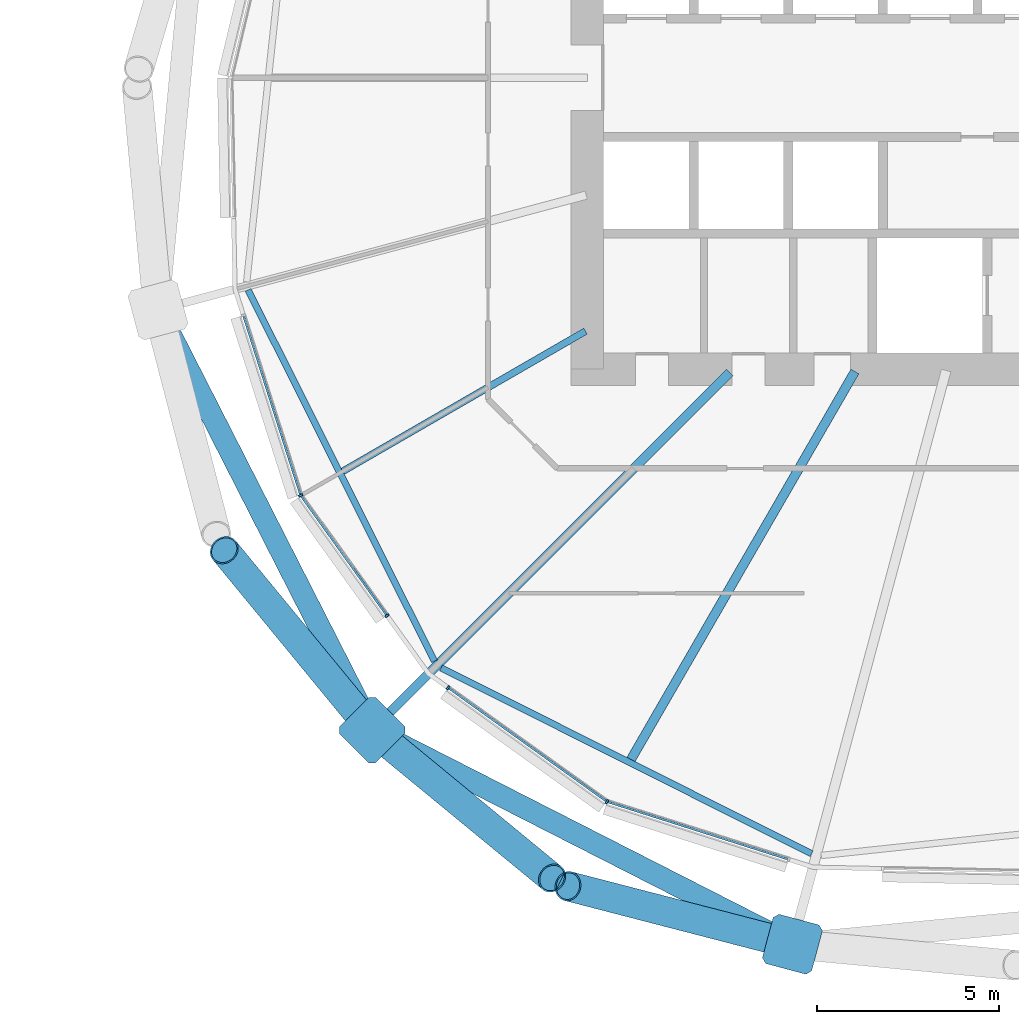
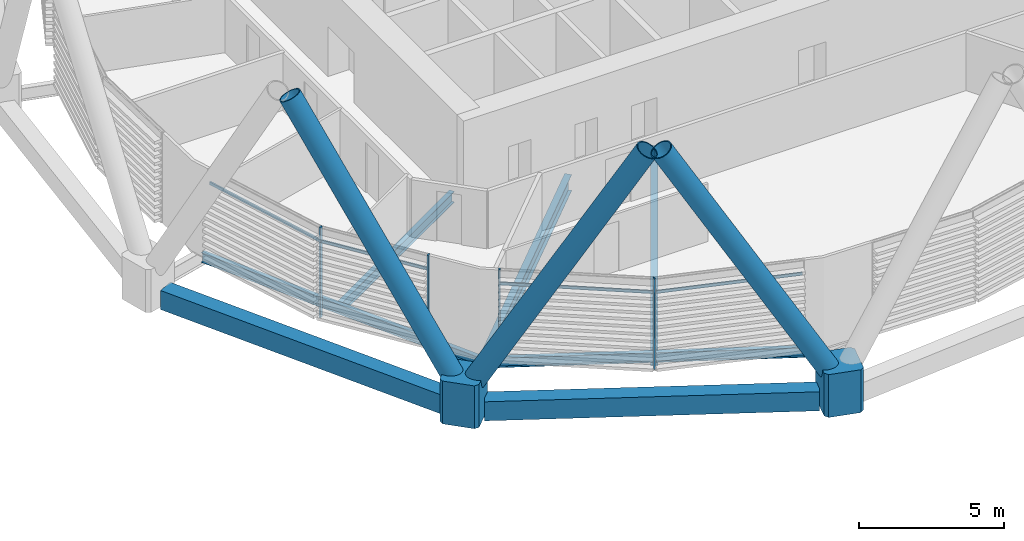
# One storey, part 14 of 40: 13 members, 7 beams, 1 element without a shape of its own.
"""IFC4 building model written with IfcOpenShell, lengths in metres."""

import ifcopenshell
import ifcopenshell.guid

model = None  # the IFC model being written
_history = None  # IfcOwnerHistory: only IFC2X3 demands one
_inside = {}  # id of a spatial element -> (the spatial element, [elements in it])
_under = {}  # id of a project, library or spatial element -> (it, [spatial elements below it])
_declared = {}  # id of a project -> (the project, [libraries it declares])
_typed = {}  # id of a type object -> (the type object, [elements of that type])
_made_of = {}  # id of a material, layer set ... -> (it, [elements and type objects made of it])


def new_model(schema):
    """Start an empty IFC model of exactly this schema.

    Asked for "IFC4X3", IfcOpenShell would pick the latest addendum, in which some entities
    have other attributes; the version numbers below select the first issue.
    IFC2X3 requires an IfcOwnerHistory on every rooted entity: one is made here for all.
    """
    global model, _history
    if schema == "IFC4X3":
        model = ifcopenshell.file(schema_version=(4, 3, 0, 0))
    else:
        model = ifcopenshell.file(schema=schema)
    _inside.clear()
    _under.clear()
    _declared.clear()
    _typed.clear()
    _made_of.clear()
    _history = None
    if model.schema == "IFC2X3":
        org = make("IfcOrganization", Name="unknown")
        user = make(
            "IfcPersonAndOrganization",
            ThePerson=make("IfcPerson", FamilyName="unknown"),
            TheOrganization=org,
        )
        app = make(
            "IfcApplication",
            ApplicationDeveloper=org,
            Version="unknown",
            ApplicationFullName="unknown",
            ApplicationIdentifier="unknown",
        )
        _history = make(
            "IfcOwnerHistory",
            OwningUser=user,
            OwningApplication=app,
            ChangeAction="ADDED",
            CreationDate=0,
        )
    return model


def make(cls, **values):
    """One entity of the class cls with the attributes given. An attribute that is None is left unset."""
    return model.create_entity(
        cls, **{name: value for name, value in values.items() if value is not None}
    )


def rooted(cls, **values):
    """An entity with a GlobalId (a new one), such as an element, a storey or a relation."""
    return make(cls, GlobalId=ifcopenshell.guid.new(), OwnerHistory=_history, **values)


def si_unit(unit_type, name, prefix=None):
    """IfcSIUnit, for example si_unit("LENGTHUNIT", "METRE", prefix="MILLI")."""
    return make("IfcSIUnit", UnitType=unit_type, Prefix=prefix, Name=name)


def assignment(units):
    """IfcUnitAssignment: the units of a project."""
    return None if units is None else make("IfcUnitAssignment", Units=units)


def point(xyz):
    """IfcCartesianPoint."""
    return None if xyz is None else make("IfcCartesianPoint", Coordinates=xyz)


def direction(xyz):
    """IfcDirection."""
    return None if xyz is None else make("IfcDirection", DirectionRatios=xyz)


def frame(location, z_axis=None, x_axis=None):
    """IfcAxis2Placement3D, a coordinate frame: its origin and axes. An axis left out is left unset."""
    return make(
        "IfcAxis2Placement3D",
        Location=point(location),
        Axis=direction(z_axis),
        RefDirection=direction(x_axis),
    )


def frame_2d(location, x_axis=None):
    """IfcAxis2Placement2D, a coordinate frame in the plane: its origin and x axis."""
    return make(
        "IfcAxis2Placement2D", Location=point(location), RefDirection=direction(x_axis)
    )


def origin():
    """The frame at (0, 0, 0) with its axes left unset."""
    return frame((0.0, 0.0, 0.0))


def origin_2d():
    """The frame at (0, 0) in the plane with its x axis left unset."""
    return frame_2d((0.0, 0.0))


def place(relative_to, where):
    """IfcLocalPlacement: puts the frame where relative to a parent placement (None: the world)."""
    return make(
        "IfcLocalPlacement", PlacementRelTo=relative_to, RelativePlacement=where
    )


def context(
    kind, dimensions, precision=None, world=None, true_north=None, identifier=None
):
    """IfcGeometricRepresentationContext, for example the 3D "Model" context."""
    return make(
        "IfcGeometricRepresentationContext",
        ContextIdentifier=identifier,
        ContextType=kind,
        CoordinateSpaceDimension=dimensions,
        Precision=precision,
        WorldCoordinateSystem=world,
        TrueNorth=true_north,
    )


def subcontext(parent, identifier, kind, view, scale=None):
    """IfcGeometricRepresentationSubContext, for example "Body" below "Model"."""
    return make(
        "IfcGeometricRepresentationSubContext",
        ContextIdentifier=identifier,
        ContextType=kind,
        ParentContext=parent,
        TargetScale=scale,
        TargetView=view,
    )


def project(units=None, contexts=None):
    """IfcProject with its units and contexts."""
    return rooted(
        "IfcProject",
        Name="project",
        RepresentationContexts=contexts,
        UnitsInContext=assignment(units),
    )


def spatial(cls, under=None, at=None, **own):
    """A site, building, storey or space (cls), placed at a placement, below another one or the project."""
    s = rooted(cls, ObjectPlacement=at, **own)
    if under is not None:
        _under.setdefault(under.id(), (under, []))[1].append(s)
    return s


def polyline(points):
    """IfcPolyline through the points."""
    return make("IfcPolyline", Points=[point(p) for p in points])


def profile(cls, at=None, kind="AREA", **sizes):
    """A parametric profile (cls). Its sizes go by their IFC names, for example OverallWidth=200.0."""
    return make(cls, ProfileType=kind, Position=at, **sizes)


def rectangle(**sizes):
    """IfcRectangleProfileDef."""
    return profile("IfcRectangleProfileDef", **sizes)


def hollow_rectangle(**sizes):
    """IfcRectangleHollowProfileDef."""
    return profile("IfcRectangleHollowProfileDef", **sizes)


def hollow_circle(**sizes):
    """IfcCircleHollowProfileDef."""
    return profile("IfcCircleHollowProfileDef", **sizes)


def i_section(**sizes):
    """IfcIShapeProfileDef."""
    return profile("IfcIShapeProfileDef", **sizes)


def outline(outer, holes=None, kind="AREA"):
    """IfcArbitraryClosedProfileDef: a profile drawn as a closed curve; with holes, ...WithVoids."""
    if holes is None:
        return make("IfcArbitraryClosedProfileDef", ProfileType=kind, OuterCurve=outer)
    return make(
        "IfcArbitraryProfileDefWithVoids",
        ProfileType=kind,
        OuterCurve=outer,
        InnerCurves=holes,
    )


def extrude(swept, where, along, depth):
    """IfcExtrudedAreaSolid: the profile swept, set in the frame where, extruded along a direction by depth."""
    return make(
        "IfcExtrudedAreaSolid",
        SweptArea=swept,
        Position=where,
        ExtrudedDirection=direction(along),
        Depth=depth,
    )


def shape(context_of_items, identifier, shape_type, items):
    """IfcShapeRepresentation: the items that make up one representation, for example the "Body"."""
    return make(
        "IfcShapeRepresentation",
        ContextOfItems=context_of_items,
        RepresentationIdentifier=identifier,
        RepresentationType=shape_type,
        Items=items,
    )


def material(Name=None, Category=None):
    """IfcMaterial."""
    return make("IfcMaterial", Name=Name, Category=Category)


def material_profile(
    of_material, cross_section, Name=None, Category=None, Priority=None
):
    """IfcMaterialProfile: a cross section and its material."""
    return make(
        "IfcMaterialProfile",
        Name=Name,
        Material=of_material,
        Profile=cross_section,
        Priority=Priority,
        Category=Category,
    )


def profile_set(profiles, Name=None, composite=None):
    """IfcMaterialProfileSet."""
    return make(
        "IfcMaterialProfileSet",
        Name=Name,
        MaterialProfiles=profiles,
        CompositeProfile=composite,
    )


def made_of(thing, what):
    """Note that an element or type object is made of a material, layer set ...; save() writes the relation."""
    if what is not None:
        _made_of.setdefault(what.id(), (what, []))[1].append(thing)
    return thing


def type_object(cls, material=None, **own):
    """A type object (cls), such as IfcWallType, which elements share."""
    return made_of(rooted(cls, **own), material)


def element(
    cls,
    number,
    at=None,
    inside=None,
    cuts=None,
    type_object=None,
    material=None,
    context=None,
    identifier="Body",
    shape_type=None,
    held_by="IfcProductDefinitionShape",
    body=None,
    shapes=None,
    **own,
):
    """One element of the class cls, such as IfcWall. Its Tag is "e" and its number.

    at: its placement. inside: the storey or other place that contains it. cuts: it is an
    opening in that element (IfcRelVoidsElement). A single representation is given by context,
    identifier, shape_type and body (its items); several are given by shapes. held_by: the class
    of the entity that holds the representations. save() writes the other relations.
    """
    e = rooted(cls, Tag="e%d" % number, ObjectPlacement=at, **own)
    if body is not None:
        shapes = [shape(context, identifier, shape_type, body)]
    if shapes is not None:
        e.Representation = make(held_by, Representations=shapes)
    if inside is not None:
        _inside.setdefault(inside.id(), (inside, []))[1].append(e)
    if cuts is not None:
        rooted(
            "IfcRelVoidsElement", RelatingBuildingElement=cuts, RelatedOpeningElement=e
        )
    if type_object is not None:
        _typed.setdefault(type_object.id(), (type_object, []))[1].append(e)
    return made_of(e, material)


def aggregate(whole, parts):
    """IfcRelAggregates: a whole, such as a stair, and the parts it consists of."""
    return rooted("IfcRelAggregates", RelatingObject=whole, RelatedObjects=parts)


def save(model, path):
    """Write the relations noted so far, then the file.

    IfcRelAggregates (storeys below a building ...), IfcRelContainedInSpatialStructure (elements
    in a storey), IfcRelDefinesByType, IfcRelAssociatesMaterial and IfcRelDeclares: one each for
    every whole, place, type object, material and project.
    """
    for whole, parts in _under.values():
        aggregate(whole, parts)
    for where, things in _inside.values():
        rooted(
            "IfcRelContainedInSpatialStructure",
            RelatedElements=things,
            RelatingStructure=where,
        )
    for kind, things in _typed.values():
        rooted("IfcRelDefinesByType", RelatedObjects=things, RelatingType=kind)
    for what, things in _made_of.values():
        rooted("IfcRelAssociatesMaterial", RelatedObjects=things, RelatingMaterial=what)
    for by, libraries in _declared.values():
        rooted("IfcRelDeclares", RelatingContext=by, RelatedDefinitions=libraries)
    model.write(path)


model = new_model("IFC4")

# Units and contexts
model_context = context("Model", 3, precision=1e-05, world=origin(), true_north=direction((0.0, 1.0)))
body_context = subcontext(model_context, "Body", "Model", "MODEL_VIEW")
ifc_project = project(units=[si_unit("LENGTHUNIT", "METRE"), si_unit("AREAUNIT", "SQUARE_METRE"), si_unit("VOLUMEUNIT", "CUBIC_METRE"), si_unit("PLANEANGLEUNIT", "RADIAN"), si_unit("MASSUNIT", "GRAM", prefix="KILO")], contexts=[model_context])

# Site, building, storey
site_placement = place(None, origin())
site = spatial("IfcSite", under=ifc_project, at=site_placement, CompositionType="ELEMENT")
building_placement = place(site_placement, origin())
building = spatial("IfcBuilding", under=site, at=building_placement, Name="Rimbun Link Towers", CompositionType="ELEMENT")
storey_placement = place(building_placement, frame((0.0, 0.0, 52.800048828125)))
storey = spatial("IfcBuildingStorey", under=building, at=storey_placement, Name="L12", CompositionType="ELEMENT", Elevation=52.800048828125)

# Curtain wall, members
ifc_material_1 = material(Name="Aluminium 6063-T6 and low-iron glass", Category="aluminium")
curtain_wall_type = type_object("IfcCurtainWallType", Name="CW1 unitised vision wall", PredefinedType="NOTDEFINED", material=ifc_material_1)
curtain_wall_placement = place(storey_placement, origin())
curtain_wall = element("IfcCurtainWall", 1, at=curtain_wall_placement, inside=storey, type_object=curtain_wall_type, Name="CW1 L12 T2", PredefinedType="NOTDEFINED")
ifc_material_2 = material(Name="Aluminium 6063-T6", Category="aluminium")
ifc_material_profile_1 = material_profile(ifc_material_2, rectangle(XDim=0.1201171875, YDim=0.06005859375, at=origin_2d()), Name="MULLION 60X120")
ifc_profile_set_1 = profile_set([ifc_material_profile_1], Name="Aluminium 6063-T6")
member_type_1 = type_object("IfcMemberType", Name="CW1 mullion 60X120", PredefinedType="MULLION", material=ifc_profile_set_1)
member_1_placement = place(storey_placement, frame((11.884521484375, -11.46533203125, 0.0), z_axis=(0.0, 0.0, 1.0), x_axis=(-0.89374591816, -0.448573554472, 0.0)))
member_1 = element("IfcMember", 2, at=member_1_placement, type_object=member_type_1, Name="CW1 mullion", PredefinedType="MULLION", context=body_context, shape_type="SweptSolid", body=[
    extrude(rectangle(XDim=0.1201171875, YDim=0.06005859375, at=origin_2d()), origin(), (0.0, 0.0, 1.0), 3.800048828125),
])
member_2_placement = place(storey_placement, frame((14.250732421875, -14.76416015625, 0.0), z_axis=(0.0, 0.0, 1.0), x_axis=(-0.812469264421, -0.583004026034, 0.0)))
member_2 = element("IfcMember", 3, at=member_2_placement, type_object=member_type_1, Name="CW1 mullion", PredefinedType="MULLION", context=body_context, shape_type="SweptSolid", body=[
    extrude(rectangle(XDim=0.1201171875, YDim=0.06005859375, at=origin_2d()), origin(), (0.0, 0.0, 1.0), 3.800048828125),
])
member_3_placement = place(storey_placement, frame((20.28466796875, -19.865478515625, 0.0), z_axis=(0.0, 0.0, 1.0), x_axis=(-0.448573554472, -0.89374591816, 0.0)))
member_3 = element("IfcMember", 4, at=member_3_placement, type_object=member_type_1, Name="CW1 mullion", PredefinedType="MULLION", context=body_context, shape_type="SweptSolid", body=[
    extrude(rectangle(XDim=0.1201171875, YDim=0.06005859375, at=origin_2d()), origin(), (0.0, 0.0, 1.0), 3.800048828125),
])
member_4_placement = place(storey_placement, frame((15.929443359375, -16.7412109375, 0.0), z_axis=(0.0, 0.0, 1.0), x_axis=(-0.583004026034, -0.812469264421, 0.0)))
member_4 = element("IfcMember", 5, at=member_4_placement, type_object=member_type_1, Name="CW1 mullion", PredefinedType="MULLION", context=body_context, shape_type="SweptSolid", body=[
    extrude(rectangle(XDim=0.1201171875, YDim=0.06005859375, at=origin_2d()), origin(), (0.0, 0.0, 1.0), 3.800048828125),
])
ifc_material_3 = material(Name="Aluminium 6063-T6", Category="aluminium")
ifc_material_profile_2 = material_profile(ifc_material_3, rectangle(XDim=0.06005859375, YDim=0.1201171875, at=origin_2d()), Name="TRANSOM 60X120")
ifc_profile_set_2 = profile_set([ifc_material_profile_2], Name="Aluminium 6063-T6")
member_type_2 = type_object("IfcMemberType", Name="CW1 transom 60X120", PredefinedType="USERDEFINED", material=ifc_profile_set_2)
member_5_placement = place(storey_placement, frame((11.873779296875, -11.427490234375, 3.199951171875), z_axis=(-0.303087473621, 0.952962739741, 0.0), x_axis=(-0.952962739741, -0.303087473621, 0.0)))
member_5 = element("IfcMember", 6, at=member_5_placement, type_object=member_type_2, Name="CW1 transom", ObjectType="TRANSOM", PredefinedType="USERDEFINED", context=body_context, shape_type="SweptSolid", body=[
    extrude(rectangle(XDim=0.06005859375, YDim=0.1201171875, at=origin_2d()), origin(), (0.0, 0.0, 1.0), 5.117431640625),
])
member_6_placement = place(storey_placement, frame((14.23486328125, -14.73876953125, 3.199951171875), z_axis=(-0.582990413826, 0.812479031967, 0.0), x_axis=(-0.812479031967, -0.582990413826, 0.0)))
member_6 = element("IfcMember", 7, at=member_6_placement, type_object=member_type_2, Name="CW1 transom", ObjectType="TRANSOM", PredefinedType="USERDEFINED", context=body_context, shape_type="SweptSolid", body=[
    extrude(rectangle(XDim=0.06005859375, YDim=0.1201171875, at=origin_2d()), origin(), (0.0, 0.0, 1.0), 3.990478515625),
])
member_7_placement = place(storey_placement, frame((20.25341796875, -19.841552734375, 3.199951171875), z_axis=(-0.812459368995, 0.583017815965, 0.0), x_axis=(-0.583017815965, -0.812459368995, 0.0)))
member_7 = element("IfcMember", 8, at=member_7_placement, type_object=member_type_2, Name="CW1 transom", ObjectType="TRANSOM", PredefinedType="USERDEFINED", context=body_context, shape_type="SweptSolid", body=[
    extrude(rectangle(XDim=0.06005859375, YDim=0.1201171875, at=origin_2d()), origin(), (0.0, 0.0, 1.0), 5.29052734375),
])
member_8_placement = place(storey_placement, frame((25.246826171875, -21.4423828125, 3.199951171875), z_axis=(-0.95296300276, 0.303086646639, 0.0), x_axis=(-0.303086646639, -0.95296300276, 0.0)))
member_8 = element("IfcMember", 9, at=member_8_placement, type_object=member_type_2, Name="CW1 transom", ObjectType="TRANSOM", PredefinedType="USERDEFINED", context=body_context, shape_type="SweptSolid", body=[
    extrude(rectangle(XDim=0.06005859375, YDim=0.1201171875, at=origin_2d()), origin(), (0.0, 0.0, 1.0), 5.16748046875),
])
aggregate(curtain_wall, [member_1, member_2, member_3, member_4, member_5, member_6, member_7, member_8])

# Members
ifc_material_4 = material(Name="Steel S460NH", Category="steel")
ifc_material_profile_3 = material_profile(ifc_material_4, hollow_circle(Radius=0.406494140625, WallThickness=0.0400390625, at=origin_2d()), Name="Diagrid diagonal CHS 813x40")
ifc_profile_set_3 = profile_set([ifc_material_profile_3], Name="Steel S460NH")
member_type_3 = type_object("IfcMemberType", Name="Diagrid diagonal CHS 813x40", PredefinedType="BRACE", material=ifc_profile_set_3)
for number, where, z_axis, x_axis, name in (
    (10, (13.685546875, -17.710205078125, 0.431884765625), (-0.319785855763, 0.388896277981, 0.864000400131), (-0.772399476438, -0.635137031513, 0.0), "Diagrid diagonal T2 L12-L15 12a"),
    (11, (14.039794921875, -18.064453125, 0.431884765625), (0.388896277981, -0.319785855763, 0.864000400131), (0.635137031513, 0.772399476438, 0.0), "Diagrid diagonal T2 L12-L15 12b"),
):
    element("IfcMember", number, at=place(storey_placement, frame(where, z_axis=z_axis, x_axis=x_axis)), inside=storey, type_object=member_type_3, Name=name, PredefinedType="BRACE", context=body_context, shape_type="SweptSolid", body=[
        extrude(hollow_circle(Radius=0.406494140625, WallThickness=0.0400390625, at=origin_2d()), origin(), (0.0, 0.0, 1.0), 12.194580078125),
    ])
member_9_placement = place(storey_placement, frame((25.134765625, -23.71875, 0.432373046875), z_axis=(-0.485698138162, 0.125769537283, 0.865031411035), x_axis=(-0.250677892024, -0.968070552414, 0.0)))
element("IfcMember", 12, at=member_9_placement, inside=storey, type_object=member_type_3, Name="Diagrid diagonal T2 L12-L15 14a", PredefinedType="BRACE", context=body_context, shape_type="SweptSolid", body=[
    extrude(hollow_circle(Radius=0.406494140625, WallThickness=0.0400390625, at=origin_2d()), origin(), (0.0, 0.0, 1.0), 12.178955078125),
])
ifc_material_5 = material(Name="Cast steel G20Mn5+QT, Rp0.2 300 MPa", Category="steel")
ifc_material_profile_4 = material_profile(ifc_material_5, outline(polyline([(0.699951171875, -0.570068359375), (0.699951171875, 0.570068359375), (0.570068359375, 0.699951171875), (-0.570068359375, 0.699951171875), (-0.699951171875, 0.570068359375), (-0.699951171875, -0.570068359375), (-0.570068359375, -0.699951171875), (0.570068359375, -0.699951171875), (0.699951171875, -0.570068359375)])), Name="NODE 1400x1400")
ifc_profile_set_4 = profile_set([ifc_material_profile_4], Name="Cast steel G20Mn5+QT, Rp0.2 300 MPa")
member_type_4 = type_object("IfcMemberType", Name="Diagrid node cast 1400", PredefinedType="USERDEFINED", material=ifc_profile_set_4)
for number, where, z_axis, x_axis, name in (
    (13, (13.845458984375, -17.904541015625, -0.900146484375), (0.0, 0.0, 1.0), (-0.707106781187, -0.707106781187, 0.0), "Diagrid node L12 12"),
    (14, (25.377685546875, -23.781494140625, -0.900146484375), (0.0, 0.0, 1.0), (-0.258819045103, -0.965925826289, 0.0), "Diagrid node L12 14"),
):
    element("IfcMember", number, at=place(storey_placement, frame(where, z_axis=z_axis, x_axis=x_axis)), inside=storey, type_object=member_type_4, Name=name, ObjectType="Diagrid node", PredefinedType="USERDEFINED", context=body_context, shape_type="SweptSolid", body=[
        extrude(outline(polyline([(0.699951171875, -0.570068359375), (0.699951171875, 0.570068359375), (0.570068359375, 0.699951171875), (-0.570068359375, 0.699951171875), (-0.699951171875, 0.570068359375), (-0.699951171875, -0.570068359375), (-0.570068359375, -0.699951171875), (0.570068359375, -0.699951171875), (0.699951171875, -0.570068359375)])), origin(), (0.0, 0.0, 1.0), 1.800048828125),
    ])

# Beams
ifc_material_6 = material(Name="Steel S355J2", Category="steel")
ifc_material_profile_5 = material_profile(ifc_material_6, hollow_rectangle(XDim=0.60009765625, YDim=0.800048828125, WallThickness=0.0400390625, at=origin_2d()), Name="Exoskeleton ring girder BOX 600x800x40")
ifc_profile_set_5 = profile_set([ifc_material_profile_5], Name="Steel S355J2")
beam_type_1 = type_object("IfcBeamType", Name="Exoskeleton ring girder BOX 600x800x40", PredefinedType="BEAM", material=ifc_profile_set_5)
for number, where, z_axis, x_axis, name in (
    (15, (8.2861328125, -6.99609375, -0.56005859375), (0.454061377682, -0.890970406522, 0.0), (0.890970406522, 0.454061377682, 0.0), "Exoskeleton ring girder L12 05"),
    (16, (14.468994140625, -18.222412109375, -0.56005859375), (0.890970406522, -0.454061377682, 0.0), (0.454061377682, 0.890970406522, 0.0), "Exoskeleton ring girder L12 06"),
):
    element("IfcBeam", number, at=place(storey_placement, frame(where, z_axis=z_axis, x_axis=x_axis)), inside=storey, type_object=beam_type_1, Name=name, PredefinedType="BEAM", context=body_context, shape_type="SweptSolid", body=[
        extrude(hollow_rectangle(XDim=0.60009765625, YDim=0.800048828125, WallThickness=0.0400390625, at=origin_2d()), origin(), (0.0, 0.0, 1.0), 11.54345703125),
    ])
ifc_material_7 = material(Name="Steel S355J2", Category="steel")
ifc_material_profile_6 = material_profile(ifc_material_7, i_section(OverallWidth=0.177978515625, OverallDepth=0.406494140625, WebThickness=0.0078125, FlangeThickness=0.0126953125, at=origin_2d()), Name="UB 406x178x60")
ifc_profile_set_6 = profile_set([ifc_material_profile_6], Name="Steel S355J2")
beam_type_2 = type_object("IfcBeamType", Name="UB 406x178x60", PredefinedType="BEAM", material=ifc_profile_set_6)
beam_1_placement = place(storey_placement, frame((10.44287109375, -5.827880859375, -0.36328125), z_axis=(0.448558336263, -0.89375355606, 0.0), x_axis=(0.89375355606, 0.448558336263, 0.0)))
element("IfcBeam", 17, at=beam_1_placement, inside=storey, type_object=beam_type_2, Name="Edge beam T2 L12 10-12", PredefinedType="BEAM", context=body_context, shape_type="SweptSolid", body=[
    extrude(i_section(OverallWidth=0.177978515625, OverallDepth=0.406494140625, WebThickness=0.0078125, FlangeThickness=0.0126953125, at=origin_2d()), origin(), (0.0, 0.0, 1.0), 11.397216796875),
])
beam_2_placement = place(storey_placement, frame((15.73583984375, -16.19482421875, -0.36328125), z_axis=(0.893752358282, -0.44856072283, 0.0), x_axis=(0.44856072283, 0.893752358282, 0.0)))
element("IfcBeam", 18, at=beam_2_placement, inside=storey, type_object=beam_type_2, Name="Edge beam T2 L12 12-14", PredefinedType="BEAM", context=body_context, shape_type="SweptSolid", body=[
    extrude(i_section(OverallWidth=0.177978515625, OverallDepth=0.406494140625, WebThickness=0.0078125, FlangeThickness=0.0126953125, at=origin_2d()), origin(), (0.0, 0.0, 1.0), 11.376953125),
])
ifc_material_8 = material(Name="Steel S355J2", Category="steel")
ifc_material_profile_7 = material_profile(ifc_material_8, i_section(OverallWidth=0.18994140625, OverallDepth=0.453369140625, WebThickness=0.008544921875, FlangeThickness=0.0126953125, at=origin_2d()), Name="UB 457x191x67")
ifc_profile_set_7 = profile_set([ifc_material_profile_7], Name="Steel S355J2")
beam_type_3 = type_object("IfcBeamType", Name="UB 457x191x67", PredefinedType="BEAM", material=ifc_profile_set_7)
beam_3_placement = place(storey_placement, frame((19.70166015625, -6.9560546875, -0.38671875), z_axis=(-0.866019623948, -0.500010010836, 0.0), x_axis=(0.500010010836, -0.866019623948, 0.0)))
element("IfcBeam", 19, at=beam_3_placement, inside=storey, type_object=beam_type_3, Name="Radial beam T2 L12 11", PredefinedType="BEAM", context=body_context, shape_type="SweptSolid", body=[
    extrude(i_section(OverallWidth=0.18994140625, OverallDepth=0.453369140625, WebThickness=0.008544921875, FlangeThickness=0.0126953125, at=origin_2d()), origin(), (0.0, 0.0, 1.0), 7.692138671875),
])
ifc_material_9 = material(Name="Steel S355J2", Category="steel")
ifc_material_profile_8 = material_profile(ifc_material_9, i_section(OverallWidth=0.253662109375, OverallDepth=0.68359375, WebThickness=0.012451171875, FlangeThickness=0.01904296875, at=origin_2d()), Name="UB 686x254x140")
ifc_profile_set_8 = profile_set([ifc_material_profile_8], Name="Steel S355J2")
beam_type_4 = type_object("IfcBeamType", Name="UB 686x254x140", PredefinedType="BEAM", material=ifc_profile_set_8)
beam_4_placement = place(storey_placement, frame((23.65966796875, -8.09033203125, -0.501708984375), z_axis=(-0.707106781187, -0.707106781187, 0.0), x_axis=(0.707106781187, -0.707106781187, 0.0)))
element("IfcBeam", 20, at=beam_4_placement, inside=storey, type_object=beam_type_4, Name="Radial beam T2 L12 12", PredefinedType="BEAM", context=body_context, shape_type="SweptSolid", body=[
    extrude(i_section(OverallWidth=0.253662109375, OverallDepth=0.68359375, WebThickness=0.012451171875, FlangeThickness=0.01904296875, at=origin_2d()), origin(), (0.0, 0.0, 1.0), 13.37939453125),
])
beam_5_placement = place(storey_placement, frame((27.093994140625, -8.064208984375, -0.501708984375), z_axis=(-0.499994660107, -0.866028486751, 0.0), x_axis=(0.866028486751, -0.499994660107, 0.0)))
element("IfcBeam", 21, at=beam_5_placement, inside=storey, type_object=beam_type_4, Name="Radial beam T2 L12 13", PredefinedType="BEAM", context=body_context, shape_type="SweptSolid", body=[
    extrude(i_section(OverallWidth=0.253662109375, OverallDepth=0.68359375, WebThickness=0.012451171875, FlangeThickness=0.01904296875, at=origin_2d()), origin(), (0.0, 0.0, 1.0), 12.292724609375),
])

save(model, "model.ifc")
